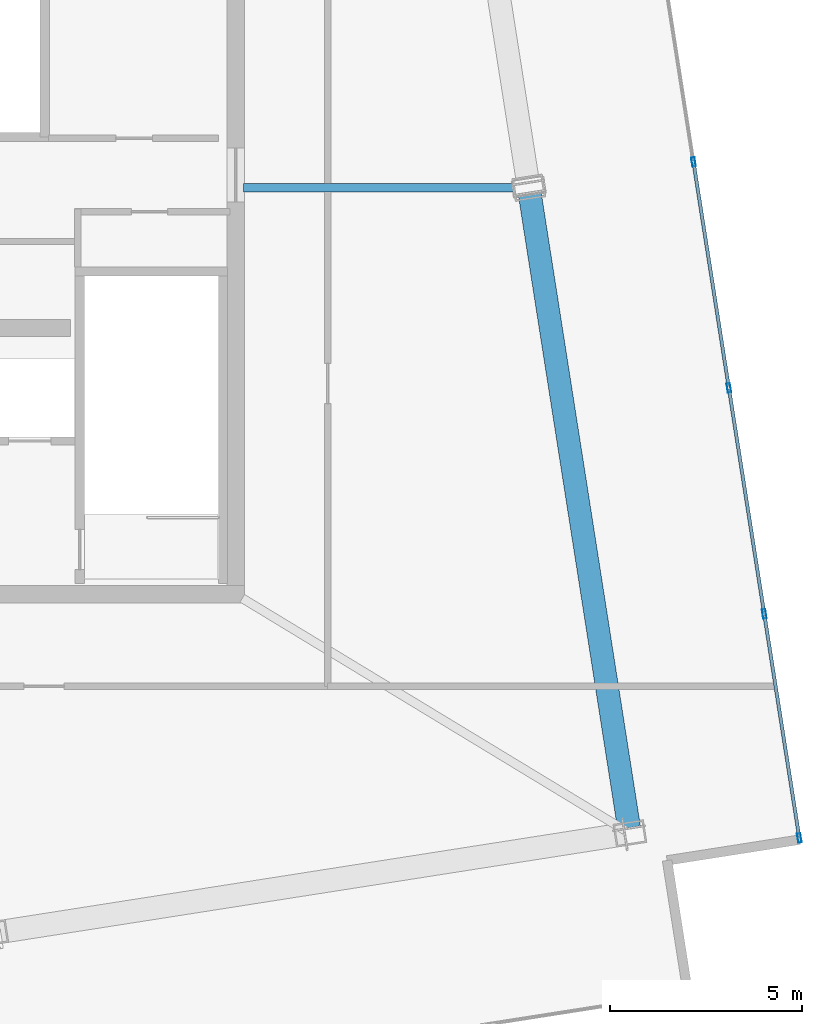
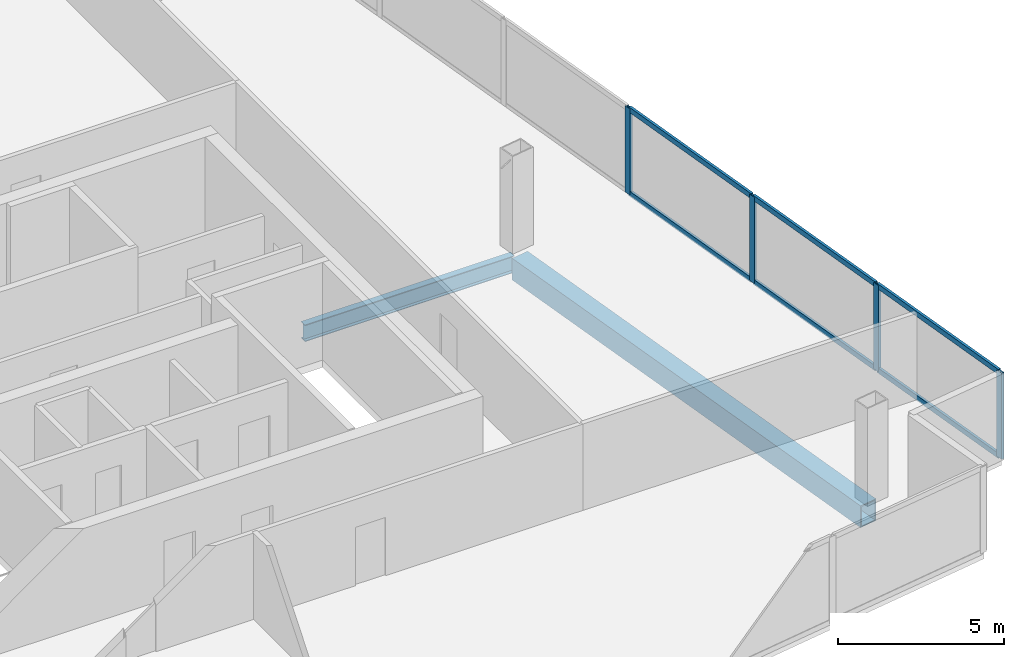
# One storey, part 7 of 17: 10 members, 2 beams, 1 element without a shape of its own.
"""IFC4 building model written with IfcOpenShell, lengths in metres."""

from ifc_helpers import new_model, si_unit, direction, frame, origin, origin_2d, place, context, subcontext, project, spatial, hollow_rectangle, i_section, extrude, material, material_profile, profile_set, type_object, element, aggregate, save


model = new_model("IFC4")

# Units and contexts
model_context = context("Model", 3, precision=1e-05, world=origin(), true_north=direction((0.0, 1.0)))
body_context = subcontext(model_context, "Body", "Model", "MODEL_VIEW")
ifc_project = project(units=[si_unit("LENGTHUNIT", "METRE"), si_unit("AREAUNIT", "SQUARE_METRE"), si_unit("VOLUMEUNIT", "CUBIC_METRE"), si_unit("PLANEANGLEUNIT", "RADIAN"), si_unit("MASSUNIT", "GRAM", prefix="KILO")], contexts=[model_context])

# Site, building, storey
site_placement = place(None, origin())
site = spatial("IfcSite", under=ifc_project, at=site_placement, CompositionType="ELEMENT")
building_placement = place(site_placement, origin())
building = spatial("IfcBuilding", under=site, at=building_placement, Name="Haldenkirk Collegiate Tower", CompositionType="ELEMENT")
storey_placement = place(building_placement, frame((0.0, 0.0, 371.39990234375)))
storey = spatial("IfcBuildingStorey", under=building, at=storey_placement, Name="L94", CompositionType="ELEMENT", Elevation=371.39990234375)

# Beams
ifc_material_1 = material(Name="Steel ASTM A992 Grade 50", Category="steel")
ifc_material_profile_1 = material_profile(ifc_material_1, i_section(OverallWidth=0.22998046875, OverallDepth=0.616943359375, WebThickness=0.01318359375, FlangeThickness=0.022216796875, at=origin_2d()), Name="W24X94")
ifc_profile_set_1 = profile_set([ifc_material_profile_1], Name="Steel ASTM A992 Grade 50")
beam_type_1 = type_object("IfcBeamType", Name="BM-GIRDER-W24X94", PredefinedType="BEAM", material=ifc_profile_set_1)
beam_1_placement = place(storey_placement, frame((52.4970703125, 28.60693359375, -0.578369140625), z_axis=(-1.0, 0.0, 0.0), x_axis=(0.0, -1.0, 0.0)))
element("IfcBeam", 1, at=beam_1_placement, inside=storey, type_object=beam_type_1, Name="L94 crown radial floor beam 2", PredefinedType="BEAM", context=body_context, shape_type="SweptSolid", body=[
    extrude(i_section(OverallWidth=0.22998046875, OverallDepth=0.616943359375, WebThickness=0.01318359375, FlangeThickness=0.022216796875, at=origin_2d()), origin(), (0.0, 0.0, 1.0), 7.297119140625),
])
ifc_material_2 = material(Name="Steel ASTM A572 Grade 50", Category="steel")
ifc_material_profile_2 = material_profile(ifc_material_2, hollow_rectangle(XDim=0.60009765625, YDim=0.800048828125, WallThickness=0.0400390625, at=origin_2d()), Name="BOX800X600X40")
ifc_profile_set_2 = profile_set([ifc_material_profile_2], Name="Steel ASTM A572 Grade 50")
beam_type_2 = type_object("IfcBeamType", Name="BM-SPANDREL-BOX800X600X40", PredefinedType="SPANDREL", material=ifc_profile_set_2)
beam_2_placement = place(storey_placement, frame((55.26171875, 11.910400390625, -0.669921875), z_axis=(-0.154705009471, 0.987960707743, 0.0), x_axis=(-0.987960707743, -0.154705009471, 0.0)))
element("IfcBeam", 2, at=beam_2_placement, inside=storey, type_object=beam_type_2, Name="L94 Crown Ring Frame perimeter girder 1", PredefinedType="SPANDREL", context=body_context, shape_type="SweptSolid", body=[
    extrude(hollow_rectangle(XDim=0.60009765625, YDim=0.800048828125, WallThickness=0.0400390625, at=origin_2d()), origin(), (0.0, 0.0, 1.0), 16.75),
])

# Curtain wall, members
ifc_material_3 = material(Name="Anodised architectural bronze aluminium", Category="aluminium")
curtain_wall_type = type_object("IfcCurtainWallType", Name="CW-SYS6-CROWN", PredefinedType="USERDEFINED", material=ifc_material_3)
curtain_wall_placement = place(storey_placement, origin())
curtain_wall = element("IfcCurtainWall", 3, at=curtain_wall_placement, inside=storey, type_object=curtain_wall_type, Name="L94 Closed crown ring ceramic-fritted bronze screen curtain wall", ObjectType="UNITISED CURTAIN WALL", PredefinedType="USERDEFINED")
ifc_material_profile_3 = material_profile(ifc_material_3, hollow_rectangle(XDim=0.090087890625, YDim=0.239990234375, WallThickness=0.0048828125, at=origin_2d()), Name="CW-MUL-06")
ifc_profile_set_3 = profile_set([ifc_material_profile_3], Name="Anodised architectural bronze aluminium")
member_type_1 = type_object("IfcMemberType", Name="CW-MUL-06", PredefinedType="MULLION", material=ifc_profile_set_3)
member_1_placement = place(storey_placement, frame((56.94482421875, 29.27978515625, 0.0), z_axis=(0.0, 0.0, 1.0), x_axis=(0.987959532462, 0.154712514742, 0.0)))
member_1 = element("IfcMember", 4, at=member_1_placement, type_object=member_type_1, Name="CW-06 mullion 4", PredefinedType="MULLION", context=body_context, shape_type="SweptSolid", body=[
    extrude(hollow_rectangle(XDim=0.090087890625, YDim=0.239990234375, WallThickness=0.0048828125, at=origin_2d()), origin(), (0.0, 0.0, 1.0), 3.18017578125),
])
member_2_placement = place(storey_placement, frame((57.867919921875, 23.385009765625, 0.0), z_axis=(0.0, 0.0, 1.0), x_axis=(0.987959532462, 0.154712514742, 0.0)))
member_2 = element("IfcMember", 5, at=member_2_placement, type_object=member_type_1, Name="CW-06 mullion 5", PredefinedType="MULLION", context=body_context, shape_type="SweptSolid", body=[
    extrude(hollow_rectangle(XDim=0.090087890625, YDim=0.239990234375, WallThickness=0.0048828125, at=origin_2d()), origin(), (0.0, 0.0, 1.0), 3.18017578125),
])
member_3_placement = place(storey_placement, frame((58.791015625, 17.490234375, 0.0), z_axis=(0.0, 0.0, 1.0), x_axis=(0.987959532462, 0.154712514742, 0.0)))
member_3 = element("IfcMember", 6, at=member_3_placement, type_object=member_type_1, Name="CW-06 mullion 6", PredefinedType="MULLION", context=body_context, shape_type="SweptSolid", body=[
    extrude(hollow_rectangle(XDim=0.090087890625, YDim=0.239990234375, WallThickness=0.0048828125, at=origin_2d()), origin(), (0.0, 0.0, 1.0), 3.18017578125),
])
member_4_placement = place(storey_placement, frame((59.70703125, 11.639892578125, 0.0), z_axis=(0.0, 0.0, 1.0), x_axis=(0.987959532462, 0.154712514742, 0.0)))
member_4 = element("IfcMember", 7, at=member_4_placement, type_object=member_type_1, Name="CW-06 mullion 7", PredefinedType="MULLION", context=body_context, shape_type="SweptSolid", body=[
    extrude(hollow_rectangle(XDim=0.090087890625, YDim=0.239990234375, WallThickness=0.0048828125, at=origin_2d()), origin(), (0.0, 0.0, 1.0), 3.18017578125),
])
ifc_material_profile_4 = material_profile(ifc_material_3, hollow_rectangle(XDim=0.090087890625, YDim=0.18994140625, WallThickness=0.0048828125, at=origin_2d()), Name="CW-TRN-06")
ifc_profile_set_4 = profile_set([ifc_material_profile_4], Name="Anodised architectural bronze aluminium")
member_type_2 = type_object("IfcMemberType", Name="CW-TRN-06", PredefinedType="USERDEFINED", material=ifc_profile_set_4)
member_5_placement = place(storey_placement, frame((56.95166015625, 29.2353515625, 0.045166015625), z_axis=(0.154710174658, -0.987959898912, 0.0), x_axis=(0.987959898912, 0.154710174658, 0.0)))
member_5 = element("IfcMember", 8, at=member_5_placement, type_object=member_type_2, Name="CW-06 transom 4.1", ObjectType="TRANSOM", PredefinedType="USERDEFINED", context=body_context, shape_type="SweptSolid", body=[
    extrude(hollow_rectangle(XDim=0.090087890625, YDim=0.18994140625, WallThickness=0.0048828125, at=origin_2d()), origin(), (0.0, 0.0, 1.0), 5.876708984375),
])
member_6_placement = place(storey_placement, frame((56.95166015625, 29.2353515625, 3.135009765625), z_axis=(0.154710174658, -0.987959898912, 0.0), x_axis=(0.987959898912, 0.154710174658, 0.0)))
member_6 = element("IfcMember", 9, at=member_6_placement, type_object=member_type_2, Name="CW-06 transom 4.2", ObjectType="TRANSOM", PredefinedType="USERDEFINED", context=body_context, shape_type="SweptSolid", body=[
    extrude(hollow_rectangle(XDim=0.090087890625, YDim=0.18994140625, WallThickness=0.0048828125, at=origin_2d()), origin(), (0.0, 0.0, 1.0), 5.876708984375),
])
member_7_placement = place(storey_placement, frame((57.874755859375, 23.340576171875, 0.045166015625), z_axis=(0.154710174658, -0.987959898912, 0.0), x_axis=(0.987959898912, 0.154710174658, 0.0)))
member_7 = element("IfcMember", 10, at=member_7_placement, type_object=member_type_2, Name="CW-06 transom 5.1", ObjectType="TRANSOM", PredefinedType="USERDEFINED", context=body_context, shape_type="SweptSolid", body=[
    extrude(hollow_rectangle(XDim=0.090087890625, YDim=0.18994140625, WallThickness=0.0048828125, at=origin_2d()), origin(), (0.0, 0.0, 1.0), 5.876708984375),
])
member_8_placement = place(storey_placement, frame((57.874755859375, 23.340576171875, 3.135009765625), z_axis=(0.154710174658, -0.987959898912, 0.0), x_axis=(0.987959898912, 0.154710174658, 0.0)))
member_8 = element("IfcMember", 11, at=member_8_placement, type_object=member_type_2, Name="CW-06 transom 5.2", ObjectType="TRANSOM", PredefinedType="USERDEFINED", context=body_context, shape_type="SweptSolid", body=[
    extrude(hollow_rectangle(XDim=0.090087890625, YDim=0.18994140625, WallThickness=0.0048828125, at=origin_2d()), origin(), (0.0, 0.0, 1.0), 5.876708984375),
])
member_9_placement = place(storey_placement, frame((58.7978515625, 17.44580078125, 0.045166015625), z_axis=(0.154730622105, -0.987956696714, 0.0), x_axis=(0.987956696714, 0.154730622105, 0.0)))
member_9 = element("IfcMember", 12, at=member_9_placement, type_object=member_type_2, Name="CW-06 transom 6.1", ObjectType="TRANSOM", PredefinedType="USERDEFINED", context=body_context, shape_type="SweptSolid", body=[
    extrude(hollow_rectangle(XDim=0.090087890625, YDim=0.18994140625, WallThickness=0.0048828125, at=origin_2d()), origin(), (0.0, 0.0, 1.0), 5.831787109375),
])
member_10_placement = place(storey_placement, frame((58.7978515625, 17.44580078125, 3.135009765625), z_axis=(0.154730622105, -0.987956696714, 0.0), x_axis=(0.987956696714, 0.154730622105, 0.0)))
member_10 = element("IfcMember", 13, at=member_10_placement, type_object=member_type_2, Name="CW-06 transom 6.2", ObjectType="TRANSOM", PredefinedType="USERDEFINED", context=body_context, shape_type="SweptSolid", body=[
    extrude(hollow_rectangle(XDim=0.090087890625, YDim=0.18994140625, WallThickness=0.0048828125, at=origin_2d()), origin(), (0.0, 0.0, 1.0), 5.831787109375),
])
aggregate(curtain_wall, [member_1, member_2, member_3, member_4, member_5, member_6, member_7, member_8, member_9, member_10])

save(model, "model.ifc")
